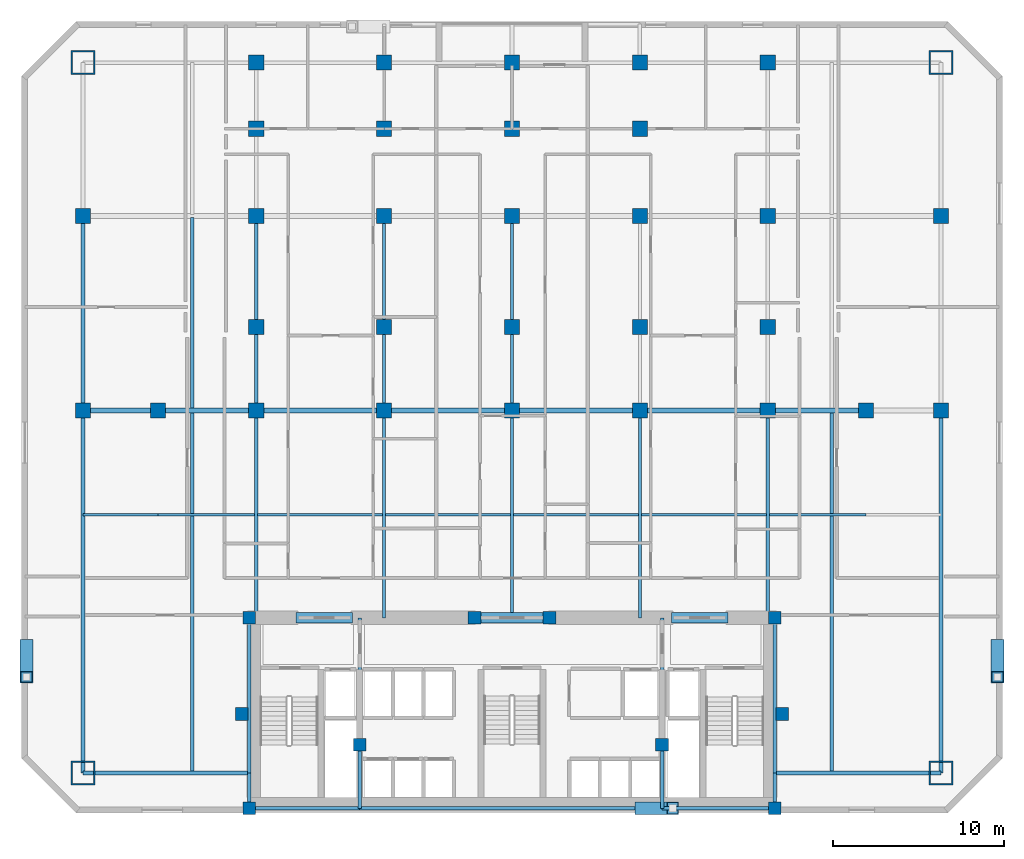
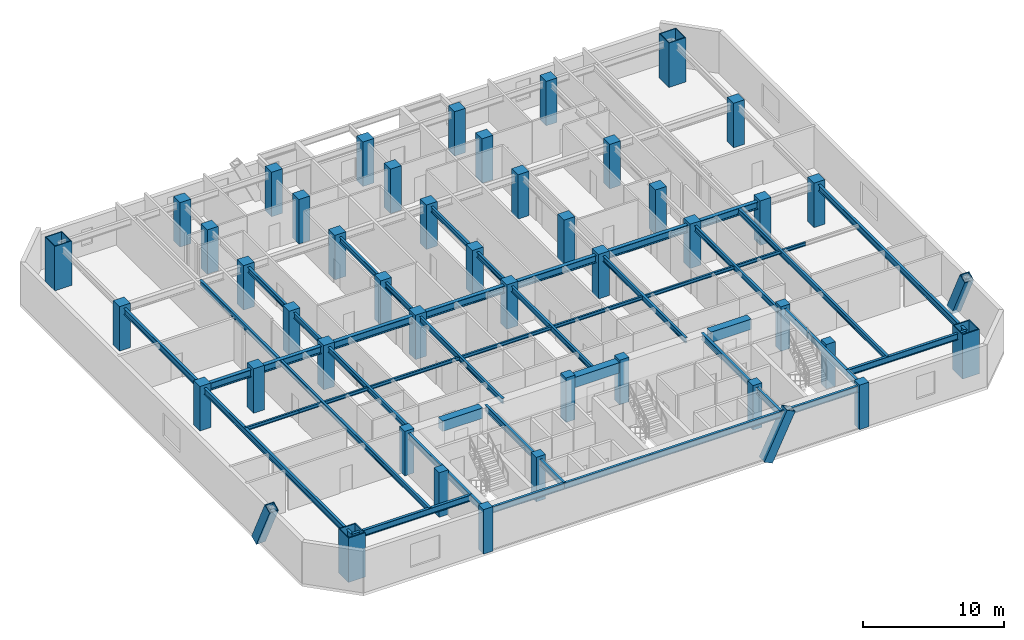
# One storey, part 1 of 9: 44 beams, 44 columns, 3 members.
"""IFC4 building model written with IfcOpenShell, lengths in metres."""

from ifc_helpers import new_model, si_unit, direction, frame, origin, origin_2d, place, context, subcontext, project, spatial, rectangle, hollow_rectangle, i_section, extrude, material, material_profile, profile_set, type_object, element, save


model = new_model("IFC4")

# Units and contexts
model_context = context("Model", 3, precision=1e-05, world=origin(), true_north=direction((0.0, 1.0)))
body_context = subcontext(model_context, "Body", "Model", "MODEL_VIEW")
ifc_project = project(units=[si_unit("LENGTHUNIT", "METRE"), si_unit("AREAUNIT", "SQUARE_METRE"), si_unit("VOLUMEUNIT", "CUBIC_METRE"), si_unit("PLANEANGLEUNIT", "RADIAN"), si_unit("MASSUNIT", "GRAM", prefix="KILO")], contexts=[model_context])

# Site, building, storey
site_placement = place(None, origin())
site = spatial("IfcSite", under=ifc_project, at=site_placement, CompositionType="ELEMENT")
building_placement = place(site_placement, origin())
building = spatial("IfcBuilding", under=site, at=building_placement, Name="Ventersveld Concourse Tower", CompositionType="ELEMENT")
storey_placement = place(building_placement, frame((0.0, 0.0, 45.199951171875)))
storey = spatial("IfcBuildingStorey", under=building, at=storey_placement, Name="L10", CompositionType="ELEMENT", Elevation=45.199951171875)

# Columns
ifc_material_1 = material(Name="Concrete C50/60", Category="concrete")
ifc_material_profile_1 = material_profile(ifc_material_1, rectangle(XDim=0.75, YDim=0.75, at=origin_2d()), Name="RC 750x750")
ifc_profile_set_1 = profile_set([ifc_material_profile_1], Name="Concrete C50/60")
column_type_1 = type_object("IfcColumnType", Name="COL-RC750", PredefinedType="COLUMN", material=ifc_profile_set_1)
for number, where, z_axis, x_axis, name in (
    (1, (13.35009765625, 0.280029296875, 0.0), (0.0, 0.0, 1.0), (1.0, 0.0, 0.0), "L10 Core Spine Column CC-SW"),
    (2, (44.14990234375, 0.280029296875, 0.0), (0.0, 0.0, 1.0), (1.0, 0.0, 0.0), "L10 Core Spine Column CC-SE"),
    (3, (13.35009765625, 11.449951171875, 0.0), (0.0, 0.0, 1.0), (1.0, 0.0, 0.0), "L10 Core Spine Column CC-NW"),
    (4, (44.14990234375, 11.449951171875, 0.0), (0.0, 0.0, 1.0), (1.0, 0.0, 0.0), "L10 Core Spine Column CC-NE"),
    (5, (19.820068359375, 4.0, 0.0), (0.0, 0.0, 1.0), (1.0, 0.0, 0.0), "L10 Core Spine Column CM-1"),
    (6, (37.550048828125, 4.0, 0.0), (0.0, 0.0, 1.0), (1.0, 0.0, 0.0), "L10 Core Spine Column CM-2"),
    (7, (26.550048828125, 11.449951171875, 0.0), (0.0, 0.0, 1.0), (1.0, 0.0, 0.0), "L10 Core Spine Column CM-3"),
    (8, (30.949951171875, 11.449951171875, 0.0), (0.0, 0.0, 1.0), (1.0, 0.0, 0.0), "L10 Core Spine Column CM-4"),
):
    element("IfcColumn", number, at=place(storey_placement, frame(where, z_axis=z_axis, x_axis=x_axis)), inside=storey, type_object=column_type_1, Name=name, PredefinedType="COLUMN", context=body_context, shape_type="SweptSolid", body=[
        extrude(rectangle(XDim=0.75, YDim=0.75, at=origin_2d()), origin(), (0.0, 0.0, 1.0), 3.85009765625),
    ])
ifc_material_2 = material(Name="Concrete C60/75", Category="concrete")
ifc_material_profile_2 = material_profile(ifc_material_2, rectangle(XDim=0.89990234375, YDim=0.89990234375, at=origin_2d()), Name="RC 900x900")
ifc_profile_set_2 = profile_set([ifc_material_profile_2], Name="Concrete C60/75")
column_type_2 = type_object("IfcColumnType", Name="COL-RC900", PredefinedType="COLUMN", material=ifc_profile_set_2)
for number, where, z_axis, x_axis, name in (
    (9, (3.60009765625, 23.60009765625, 0.0), (0.0, 0.0, 1.0), (1.0, 0.0, 0.0), "L10 Interior Gravity Column X=3.60 Y=23.60"),
    (10, (8.0, 23.60009765625, 0.0), (0.0, 0.0, 1.0), (1.0, 0.0, 0.0), "L10 Interior Gravity Column X=8.00 Y=23.60"),
    (11, (13.75, 23.60009765625, 0.0), (0.0, 0.0, 1.0), (1.0, 0.0, 0.0), "L10 Interior Gravity Column X=13.75 Y=23.60"),
    (12, (21.25, 23.60009765625, 0.0), (0.0, 0.0, 1.0), (1.0, 0.0, 0.0), "L10 Interior Gravity Column X=21.25 Y=23.60"),
    (13, (28.75, 23.60009765625, 0.0), (0.0, 0.0, 1.0), (1.0, 0.0, 0.0), "L10 Interior Gravity Column X=28.75 Y=23.60"),
    (14, (36.25, 23.60009765625, 0.0), (0.0, 0.0, 1.0), (1.0, 0.0, 0.0), "L10 Interior Gravity Column X=36.25 Y=23.60"),
    (15, (43.75, 23.60009765625, 0.0), (0.0, 0.0, 1.0), (1.0, 0.0, 0.0), "L10 Interior Gravity Column X=43.75 Y=23.60"),
    (16, (49.5, 23.60009765625, 0.0), (0.0, 0.0, 1.0), (1.0, 0.0, 0.0), "L10 Interior Gravity Column X=49.50 Y=23.60"),
    (17, (53.89990234375, 23.60009765625, 0.0), (0.0, 0.0, 1.0), (1.0, 0.0, 0.0), "L10 Interior Gravity Column X=53.90 Y=23.60"),
    (18, (13.75, 28.5, 0.0), (0.0, 0.0, 1.0), (1.0, 0.0, 0.0), "L10 Upper-North Gravity Column X=13.75 Y=28.50"),
    (19, (21.25, 28.5, 0.0), (0.0, 0.0, 1.0), (1.0, 0.0, 0.0), "L10 Upper-North Gravity Column X=21.25 Y=28.50"),
    (20, (28.75, 28.5, 0.0), (0.0, 0.0, 1.0), (1.0, 0.0, 0.0), "L10 Upper-North Gravity Column X=28.75 Y=28.50"),
    (21, (36.25, 28.5, 0.0), (0.0, 0.0, 1.0), (1.0, 0.0, 0.0), "L10 Upper-North Gravity Column X=36.25 Y=28.50"),
    (22, (43.75, 28.5, 0.0), (0.0, 0.0, 1.0), (1.0, 0.0, 0.0), "L10 Upper-North Gravity Column X=43.75 Y=28.50"),
    (23, (3.60009765625, 35.0, 0.0), (0.0, 0.0, 1.0), (1.0, 0.0, 0.0), "L10 Flank Column X=3.60 Y=35.00"),
    (24, (53.89990234375, 35.0, 0.0), (0.0, 0.0, 1.0), (1.0, 0.0, 0.0), "L10 Flank Column X=53.90 Y=35.00"),
    (25, (13.75, 44.0, 0.0), (0.0, 0.0, 1.0), (1.0, 0.0, 0.0), "L10 North Perimeter Column X=13.75 Y=44.00"),
    (26, (21.25, 44.0, 0.0), (0.0, 0.0, 1.0), (1.0, 0.0, 0.0), "L10 North Perimeter Column X=21.25 Y=44.00"),
    (27, (28.75, 44.0, 0.0), (0.0, 0.0, 1.0), (1.0, 0.0, 0.0), "L10 North Perimeter Column X=28.75 Y=44.00"),
    (28, (36.25, 44.0, 0.0), (0.0, 0.0, 1.0), (1.0, 0.0, 0.0), "L10 North Perimeter Column X=36.25 Y=44.00"),
    (29, (43.75, 44.0, 0.0), (0.0, 0.0, 1.0), (1.0, 0.0, 0.0), "L10 North Perimeter Column X=43.75 Y=44.00"),
    (30, (13.75, 40.1201171875, 0.0), (0.0, 0.0, 1.0), (1.0, 0.0, 0.0), "L10 North Brace Node Column X=13.75 Y=40.12"),
    (31, (21.25, 40.1201171875, 0.0), (0.0, 0.0, 1.0), (1.0, 0.0, 0.0), "L10 North Brace Node Column X=21.25 Y=40.12"),
    (32, (28.75, 40.1201171875, 0.0), (0.0, 0.0, 1.0), (1.0, 0.0, 0.0), "L10 North Brace Node Column X=28.75 Y=40.12"),
    (33, (36.25, 40.1201171875, 0.0), (0.0, 0.0, 1.0), (1.0, 0.0, 0.0), "L10 North Brace Node Column X=36.25 Y=40.12"),
    (34, (13.75, 35.0, 0.0), (0.0, 0.0, 1.0), (1.0, 0.0, 0.0), "L10 Mid-North Column X=13.75 Y=35.00"),
    (35, (21.25, 35.0, 0.0), (0.0, 0.0, 1.0), (1.0, 0.0, 0.0), "L10 Mid-North Column X=21.25 Y=35.00"),
    (36, (28.75, 35.0, 0.0), (0.0, 0.0, 1.0), (1.0, 0.0, 0.0), "L10 Mid-North Column X=28.75 Y=35.00"),
    (37, (36.25, 35.0, 0.0), (0.0, 0.0, 1.0), (1.0, 0.0, 0.0), "L10 Mid-North Column X=36.25 Y=35.00"),
    (38, (43.75, 35.0, 0.0), (0.0, 0.0, 1.0), (1.0, 0.0, 0.0), "L10 Mid-North Column X=43.75 Y=35.00"),
):
    element("IfcColumn", number, at=place(storey_placement, frame(where, z_axis=z_axis, x_axis=x_axis)), inside=storey, type_object=column_type_2, Name=name, PredefinedType="COLUMN", context=body_context, shape_type="SweptSolid", body=[
        extrude(rectangle(XDim=0.89990234375, YDim=0.89990234375, at=origin_2d()), origin(), (0.0, 0.0, 1.0), 3.85009765625),
    ])
ifc_material_3 = material(Name="Structural steel S460ML", Category="steel")
ifc_material_profile_3 = material_profile(ifc_material_3, hollow_rectangle(XDim=1.39990234375, YDim=1.39990234375, WallThickness=0.080078125, at=origin_2d()), Name="BOX 1400x1400x80")
ifc_profile_set_3 = profile_set([ifc_material_profile_3], Name="Structural steel S460ML")
column_type_3 = type_object("IfcColumnType", Name="MC-1400", PredefinedType="USERDEFINED", material=ifc_profile_set_3)
for number, where, z_axis, x_axis, name in (
    (39, (3.60009765625, 2.35009765625, 0.0), (0.0, 0.0, 1.0), (1.0, 0.0, 0.0), "L10 Corner Mega-Column MC-SW"),
    (40, (53.89990234375, 2.35009765625, 0.0), (0.0, 0.0, 1.0), (1.0, 0.0, 0.0), "L10 Corner Mega-Column MC-SE"),
    (41, (53.89990234375, 44.0, 0.0), (0.0, 0.0, 1.0), (1.0, 0.0, 0.0), "L10 Corner Mega-Column MC-NE"),
    (42, (3.60009765625, 44.0, 0.0), (0.0, 0.0, 1.0), (1.0, 0.0, 0.0), "L10 Corner Mega-Column MC-NW"),
):
    element("IfcColumn", number, at=place(storey_placement, frame(where, z_axis=z_axis, x_axis=x_axis)), inside=storey, type_object=column_type_3, Name=name, ObjectType="MEGA_COLUMN", PredefinedType="USERDEFINED", context=body_context, shape_type="SweptSolid", body=[
        extrude(hollow_rectangle(XDim=1.39990234375, YDim=1.39990234375, WallThickness=0.080078125, at=origin_2d()), origin(), (0.0, 0.0, 1.0), 3.85009765625),
    ])
ifc_material_profile_4 = material_profile(ifc_material_1, rectangle(XDim=0.75, YDim=0.75, at=origin_2d()), Name="RC 750x750")
ifc_profile_set_4 = profile_set([ifc_material_profile_4], Name="Concrete C50/60")
column_type_4 = type_object("IfcColumnType", Name="PIL-RC750", PredefinedType="PILASTER", material=ifc_profile_set_4)
for number, where, z_axis, x_axis, name in (
    (43, (12.89990234375, 5.800048828125, 0.0), (0.0, 0.0, 1.0), (1.0, 0.0, 0.0), "L10 Core Engaged Pilaster PIL-W"),
    (44, (44.60009765625, 5.800048828125, 0.0), (0.0, 0.0, 1.0), (1.0, 0.0, 0.0), "L10 Core Engaged Pilaster PIL-E"),
):
    element("IfcColumn", number, at=place(storey_placement, frame(where, z_axis=z_axis, x_axis=x_axis)), inside=storey, type_object=column_type_4, Name=name, PredefinedType="PILASTER", context=body_context, shape_type="SweptSolid", body=[
        extrude(rectangle(XDim=0.75, YDim=0.75, at=origin_2d()), origin(), (0.0, 0.0, 1.0), 3.85009765625),
    ])

# Beams
ifc_material_4 = material(Name="Structural steel S355J2", Category="steel")
ifc_material_profile_5 = material_profile(ifc_material_4, i_section(OverallWidth=0.19140625, OverallDepth=0.4599609375, WebThickness=0.010009765625, FlangeThickness=0.01611328125, FilletRadius=0.01025390625, at=origin_2d()), Name="UB 457x191x82")
ifc_profile_set_5 = profile_set([ifc_material_profile_5], Name="Structural steel S355J2")
beam_type_1 = type_object("IfcBeamType", Name="BM-UB457H", PredefinedType="BEAM", material=ifc_profile_set_5)
beam_1_placement = place(storey_placement, frame((10.0, 2.35009765625, 3.3701171875), z_axis=(0.0, 1.0, 0.0), x_axis=(-1.0, 0.0, 0.0)))
element("IfcBeam", 45, at=beam_1_placement, inside=storey, type_object=beam_type_1, Name="L10 N-S Composite Floor Beam South X=10.00", PredefinedType="BEAM", context=body_context, shape_type="SweptSolid", body=[
    extrude(i_section(OverallWidth=0.19140625, OverallDepth=0.4599609375, WebThickness=0.010009765625, FlangeThickness=0.01611328125, FilletRadius=0.01025390625, at=origin_2d()), origin(), (0.0, 0.0, 1.0), 21.15478515625),
])
beam_2_placement = place(storey_placement, frame((10.0, 23.695068359375, 3.3701171875), z_axis=(0.0, 1.0, 0.0), x_axis=(-1.0, 0.0, 0.0)))
element("IfcBeam", 46, at=beam_2_placement, inside=storey, type_object=beam_type_1, Name="L10 N-S Composite Floor Beam Mid X=10.00", PredefinedType="BEAM", context=body_context, shape_type="SweptSolid", body=[
    extrude(i_section(OverallWidth=0.19140625, OverallDepth=0.4599609375, WebThickness=0.010009765625, FlangeThickness=0.01611328125, FilletRadius=0.01025390625, at=origin_2d()), origin(), (0.0, 0.0, 1.0), 11.2099609375),
])
beam_3_placement = place(storey_placement, frame((13.75, 11.449951171875, 3.3701171875), z_axis=(0.0, 1.0, 0.0), x_axis=(-1.0, 0.0, 0.0)))
element("IfcBeam", 47, at=beam_3_placement, inside=storey, type_object=beam_type_1, Name="L10 N-S Composite Floor Beam South X=13.75", PredefinedType="BEAM", context=body_context, shape_type="SweptSolid", body=[
    extrude(i_section(OverallWidth=0.19140625, OverallDepth=0.4599609375, WebThickness=0.010009765625, FlangeThickness=0.01611328125, FilletRadius=0.01025390625, at=origin_2d()), origin(), (0.0, 0.0, 1.0), 12.150146484375),
])
beam_4_placement = place(storey_placement, frame((13.75, 23.60009765625, 3.3701171875), z_axis=(0.0, 1.0, 0.0), x_axis=(-1.0, 0.0, 0.0)))
element("IfcBeam", 48, at=beam_4_placement, inside=storey, type_object=beam_type_1, Name="L10 N-S Composite Floor Beam Mid X=13.75", PredefinedType="BEAM", context=body_context, shape_type="SweptSolid", body=[
    extrude(i_section(OverallWidth=0.19140625, OverallDepth=0.4599609375, WebThickness=0.010009765625, FlangeThickness=0.01611328125, FilletRadius=0.01025390625, at=origin_2d()), origin(), (0.0, 0.0, 1.0), 11.39990234375),
])
beam_5_placement = place(storey_placement, frame((21.25, 11.449951171875, 3.3701171875), z_axis=(0.0, 1.0, 0.0), x_axis=(-1.0, 0.0, 0.0)))
element("IfcBeam", 49, at=beam_5_placement, inside=storey, type_object=beam_type_1, Name="L10 N-S Composite Floor Beam South X=21.25", PredefinedType="BEAM", context=body_context, shape_type="SweptSolid", body=[
    extrude(i_section(OverallWidth=0.19140625, OverallDepth=0.4599609375, WebThickness=0.010009765625, FlangeThickness=0.01611328125, FilletRadius=0.01025390625, at=origin_2d()), origin(), (0.0, 0.0, 1.0), 12.150146484375),
])
beam_6_placement = place(storey_placement, frame((21.25, 23.60009765625, 3.3701171875), z_axis=(0.0, 1.0, 0.0), x_axis=(-1.0, 0.0, 0.0)))
element("IfcBeam", 50, at=beam_6_placement, inside=storey, type_object=beam_type_1, Name="L10 N-S Composite Floor Beam Mid X=21.25", PredefinedType="BEAM", context=body_context, shape_type="SweptSolid", body=[
    extrude(i_section(OverallWidth=0.19140625, OverallDepth=0.4599609375, WebThickness=0.010009765625, FlangeThickness=0.01611328125, FilletRadius=0.01025390625, at=origin_2d()), origin(), (0.0, 0.0, 1.0), 11.39990234375),
])
beam_7_placement = place(storey_placement, frame((28.75, 11.449951171875, 3.3701171875), z_axis=(0.0, 1.0, 0.0), x_axis=(-1.0, 0.0, 0.0)))
element("IfcBeam", 51, at=beam_7_placement, inside=storey, type_object=beam_type_1, Name="L10 N-S Composite Floor Beam South X=28.75", PredefinedType="BEAM", context=body_context, shape_type="SweptSolid", body=[
    extrude(i_section(OverallWidth=0.19140625, OverallDepth=0.4599609375, WebThickness=0.010009765625, FlangeThickness=0.01611328125, FilletRadius=0.01025390625, at=origin_2d()), origin(), (0.0, 0.0, 1.0), 12.150146484375),
])
beam_8_placement = place(storey_placement, frame((28.75, 23.60009765625, 3.3701171875), z_axis=(0.0, 1.0, 0.0), x_axis=(-1.0, 0.0, 0.0)))
element("IfcBeam", 52, at=beam_8_placement, inside=storey, type_object=beam_type_1, Name="L10 N-S Composite Floor Beam Mid X=28.75", PredefinedType="BEAM", context=body_context, shape_type="SweptSolid", body=[
    extrude(i_section(OverallWidth=0.19140625, OverallDepth=0.4599609375, WebThickness=0.010009765625, FlangeThickness=0.01611328125, FilletRadius=0.01025390625, at=origin_2d()), origin(), (0.0, 0.0, 1.0), 11.39990234375),
])
for number, where, z_axis, x_axis, name in (
    (53, (36.25, 11.449951171875, 3.3701171875), (0.0, 1.0, 0.0), (-1.0, 0.0, 0.0), "L10 N-S Composite Floor Beam South X=36.25"),
    (54, (43.75, 11.449951171875, 3.3701171875), (0.0, 1.0, 0.0), (-1.0, 0.0, 0.0), "L10 N-S Composite Floor Beam South X=43.75"),
):
    element("IfcBeam", number, at=place(storey_placement, frame(where, z_axis=z_axis, x_axis=x_axis)), inside=storey, type_object=beam_type_1, Name=name, PredefinedType="BEAM", context=body_context, shape_type="SweptSolid", body=[
        extrude(i_section(OverallWidth=0.19140625, OverallDepth=0.4599609375, WebThickness=0.010009765625, FlangeThickness=0.01611328125, FilletRadius=0.01025390625, at=origin_2d()), origin(), (0.0, 0.0, 1.0), 12.150146484375),
    ])
beam_9_placement = place(storey_placement, frame((47.5, 2.35009765625, 3.3701171875), z_axis=(0.0, 1.0, 0.0), x_axis=(-1.0, 0.0, 0.0)))
element("IfcBeam", 55, at=beam_9_placement, inside=storey, type_object=beam_type_1, Name="L10 N-S Composite Floor Beam South X=47.50", PredefinedType="BEAM", context=body_context, shape_type="SweptSolid", body=[
    extrude(i_section(OverallWidth=0.19140625, OverallDepth=0.4599609375, WebThickness=0.010009765625, FlangeThickness=0.01611328125, FilletRadius=0.01025390625, at=origin_2d()), origin(), (0.0, 0.0, 1.0), 21.15478515625),
])
ifc_material_profile_6 = material_profile(ifc_material_2, rectangle(XDim=0.60009765625, YDim=0.89990234375, at=origin_2d()), Name="RC 600x900")
ifc_profile_set_6 = profile_set([ifc_material_profile_6], Name="Concrete C60/75")
beam_type_2 = type_object("IfcBeamType", Name="CB-RC600x900L", PredefinedType="LINTEL", material=ifc_profile_set_6)
beam_10_placement = place(storey_placement, frame((16.10009765625, 11.449951171875, 3.150146484375), z_axis=(1.0, 0.0, 0.0), x_axis=(0.0, 1.0, 0.0)))
element("IfcBeam", 56, at=beam_10_placement, inside=storey, type_object=beam_type_2, Name="L10 Core Coupling Lintel Beam 1", PredefinedType="LINTEL", context=body_context, shape_type="SweptSolid", body=[
    extrude(rectangle(XDim=0.60009765625, YDim=0.89990234375, at=origin_2d()), origin(), (0.0, 0.0, 1.0), 3.2998046875),
])
beam_11_placement = place(storey_placement, frame((26.5, 11.449951171875, 3.150146484375), z_axis=(1.0, 0.0, 0.0), x_axis=(0.0, 1.0, 0.0)))
element("IfcBeam", 57, at=beam_11_placement, inside=storey, type_object=beam_type_2, Name="L10 Core Coupling Lintel Beam 2", PredefinedType="LINTEL", context=body_context, shape_type="SweptSolid", body=[
    extrude(rectangle(XDim=0.60009765625, YDim=0.89990234375, at=origin_2d()), origin(), (0.0, 0.0, 1.0), 4.5),
])
beam_12_placement = place(storey_placement, frame((38.10009765625, 11.449951171875, 3.150146484375), z_axis=(1.0, 0.0, 0.0), x_axis=(0.0, 1.0, 0.0)))
element("IfcBeam", 58, at=beam_12_placement, inside=storey, type_object=beam_type_2, Name="L10 Core Coupling Lintel Beam 3", PredefinedType="LINTEL", context=body_context, shape_type="SweptSolid", body=[
    extrude(rectangle(XDim=0.60009765625, YDim=0.89990234375, at=origin_2d()), origin(), (0.0, 0.0, 1.0), 3.2998046875),
])
ifc_material_profile_7 = material_profile(ifc_material_4, i_section(OverallWidth=0.2119140625, OverallDepth=0.54443359375, WebThickness=0.0126953125, FlangeThickness=0.021240234375, FilletRadius=0.0126953125, at=origin_2d()), Name="UB 533x210x122")
ifc_profile_set_7 = profile_set([ifc_material_profile_7], Name="Structural steel S355J2")
beam_type_3 = type_object("IfcBeamType", Name="GRD-UB533H", PredefinedType="T_BEAM", material=ifc_profile_set_7)
beam_13_placement = place(storey_placement, frame((13.35009765625, 0.280029296875, 3.32763671875), z_axis=(0.0, 1.0, 0.0), x_axis=(-1.0, 0.0, 0.0)))
element("IfcBeam", 59, at=beam_13_placement, inside=storey, type_object=beam_type_3, Name="L10 Core West Tie Beam S", PredefinedType="T_BEAM", context=body_context, shape_type="SweptSolid", body=[
    extrude(i_section(OverallWidth=0.2119140625, OverallDepth=0.54443359375, WebThickness=0.0126953125, FlangeThickness=0.021240234375, FilletRadius=0.0126953125, at=origin_2d()), origin(), (0.0, 0.0, 1.0), 2.070068359375),
])
beam_14_placement = place(storey_placement, frame((13.35009765625, 2.35009765625, 3.32763671875), z_axis=(0.0, 1.0, 0.0), x_axis=(-1.0, 0.0, 0.0)))
element("IfcBeam", 60, at=beam_14_placement, inside=storey, type_object=beam_type_3, Name="L10 Core West Tie Beam N", PredefinedType="T_BEAM", context=body_context, shape_type="SweptSolid", body=[
    extrude(i_section(OverallWidth=0.2119140625, OverallDepth=0.54443359375, WebThickness=0.0126953125, FlangeThickness=0.021240234375, FilletRadius=0.0126953125, at=origin_2d()), origin(), (0.0, 0.0, 1.0), 9.099853515625),
])
beam_15_placement = place(storey_placement, frame((44.14990234375, 0.280029296875, 3.32763671875), z_axis=(0.0, 1.0, 0.0), x_axis=(-1.0, 0.0, 0.0)))
element("IfcBeam", 61, at=beam_15_placement, inside=storey, type_object=beam_type_3, Name="L10 Core East Tie Beam S", PredefinedType="T_BEAM", context=body_context, shape_type="SweptSolid", body=[
    extrude(i_section(OverallWidth=0.2119140625, OverallDepth=0.54443359375, WebThickness=0.0126953125, FlangeThickness=0.021240234375, FilletRadius=0.0126953125, at=origin_2d()), origin(), (0.0, 0.0, 1.0), 2.070068359375),
])
beam_16_placement = place(storey_placement, frame((44.14990234375, 2.35009765625, 3.32763671875), z_axis=(0.0, 1.0, 0.0), x_axis=(-1.0, 0.0, 0.0)))
element("IfcBeam", 62, at=beam_16_placement, inside=storey, type_object=beam_type_3, Name="L10 Core East Tie Beam N", PredefinedType="T_BEAM", context=body_context, shape_type="SweptSolid", body=[
    extrude(i_section(OverallWidth=0.2119140625, OverallDepth=0.54443359375, WebThickness=0.0126953125, FlangeThickness=0.021240234375, FilletRadius=0.0126953125, at=origin_2d()), origin(), (0.0, 0.0, 1.0), 9.099853515625),
])
beam_17_placement = place(storey_placement, frame((13.35009765625, 0.280029296875, 3.32763671875), z_axis=(1.0, 0.0, 0.0), x_axis=(0.0, 1.0, 0.0)))
element("IfcBeam", 63, at=beam_17_placement, inside=storey, type_object=beam_type_3, Name="L10 Core South Tie Beam W", PredefinedType="T_BEAM", context=body_context, shape_type="SweptSolid", body=[
    extrude(i_section(OverallWidth=0.2119140625, OverallDepth=0.54443359375, WebThickness=0.0126953125, FlangeThickness=0.021240234375, FilletRadius=0.0126953125, at=origin_2d()), origin(), (0.0, 0.0, 1.0), 6.469970703125),
])
beam_18_placement = place(storey_placement, frame((19.820068359375, 0.280029296875, 3.32763671875), z_axis=(1.0, 0.0, 0.0), x_axis=(0.0, 1.0, 0.0)))
element("IfcBeam", 64, at=beam_18_placement, inside=storey, type_object=beam_type_3, Name="L10 Core South Tie Beam C", PredefinedType="T_BEAM", context=body_context, shape_type="SweptSolid", body=[
    extrude(i_section(OverallWidth=0.2119140625, OverallDepth=0.54443359375, WebThickness=0.0126953125, FlangeThickness=0.021240234375, FilletRadius=0.0126953125, at=origin_2d()), origin(), (0.0, 0.0, 1.0), 17.72998046875),
])
beam_19_placement = place(storey_placement, frame((37.550048828125, 0.280029296875, 3.32763671875), z_axis=(1.0, 0.0, 0.0), x_axis=(0.0, 1.0, 0.0)))
element("IfcBeam", 65, at=beam_19_placement, inside=storey, type_object=beam_type_3, Name="L10 Core South Tie Beam E", PredefinedType="T_BEAM", context=body_context, shape_type="SweptSolid", body=[
    extrude(i_section(OverallWidth=0.2119140625, OverallDepth=0.54443359375, WebThickness=0.0126953125, FlangeThickness=0.021240234375, FilletRadius=0.0126953125, at=origin_2d()), origin(), (0.0, 0.0, 1.0), 6.599853515625),
])
beam_20_placement = place(storey_placement, frame((19.820068359375, 0.280029296875, 3.32763671875), z_axis=(0.0, 1.0, 0.0), x_axis=(-1.0, 0.0, 0.0)))
element("IfcBeam", 66, at=beam_20_placement, inside=storey, type_object=beam_type_3, Name="L10 Core Spine N-S Tie Beam W1", PredefinedType="T_BEAM", context=body_context, shape_type="SweptSolid", body=[
    extrude(i_section(OverallWidth=0.2119140625, OverallDepth=0.54443359375, WebThickness=0.0126953125, FlangeThickness=0.021240234375, FilletRadius=0.0126953125, at=origin_2d()), origin(), (0.0, 0.0, 1.0), 3.719970703125),
])
beam_21_placement = place(storey_placement, frame((19.820068359375, 4.0, 3.32763671875), z_axis=(0.0, 1.0, 0.0), x_axis=(-1.0, 0.0, 0.0)))
element("IfcBeam", 67, at=beam_21_placement, inside=storey, type_object=beam_type_3, Name="L10 Core Spine N-S Tie Beam W2", PredefinedType="T_BEAM", context=body_context, shape_type="SweptSolid", body=[
    extrude(i_section(OverallWidth=0.2119140625, OverallDepth=0.54443359375, WebThickness=0.0126953125, FlangeThickness=0.021240234375, FilletRadius=0.0126953125, at=origin_2d()), origin(), (0.0, 0.0, 1.0), 7.449951171875),
])
beam_22_placement = place(storey_placement, frame((37.550048828125, 0.280029296875, 3.32763671875), z_axis=(0.0, 1.0, 0.0), x_axis=(-1.0, 0.0, 0.0)))
element("IfcBeam", 68, at=beam_22_placement, inside=storey, type_object=beam_type_3, Name="L10 Core Spine N-S Tie Beam E1", PredefinedType="T_BEAM", context=body_context, shape_type="SweptSolid", body=[
    extrude(i_section(OverallWidth=0.2119140625, OverallDepth=0.54443359375, WebThickness=0.0126953125, FlangeThickness=0.021240234375, FilletRadius=0.0126953125, at=origin_2d()), origin(), (0.0, 0.0, 1.0), 3.719970703125),
])
beam_23_placement = place(storey_placement, frame((37.550048828125, 4.0, 3.32763671875), z_axis=(0.0, 1.0, 0.0), x_axis=(-1.0, 0.0, 0.0)))
element("IfcBeam", 69, at=beam_23_placement, inside=storey, type_object=beam_type_3, Name="L10 Core Spine N-S Tie Beam E2", PredefinedType="T_BEAM", context=body_context, shape_type="SweptSolid", body=[
    extrude(i_section(OverallWidth=0.2119140625, OverallDepth=0.54443359375, WebThickness=0.0126953125, FlangeThickness=0.021240234375, FilletRadius=0.0126953125, at=origin_2d()), origin(), (0.0, 0.0, 1.0), 7.449951171875),
])
ifc_material_profile_8 = material_profile(ifc_material_4, i_section(OverallWidth=0.311279296875, OverallDepth=0.6357421875, WebThickness=0.018310546875, FlangeThickness=0.031494140625, FilletRadius=0.0166015625, at=origin_2d()), Name="UB 610x305x238")
ifc_profile_set_8 = profile_set([ifc_material_profile_8], Name="Structural steel S355J2")
beam_type_4 = type_object("IfcBeamType", Name="GRD-UB610H", PredefinedType="USERDEFINED", material=ifc_profile_set_8)
beam_24_placement = place(storey_placement, frame((3.60009765625, 23.60009765625, 3.2822265625), z_axis=(1.0, 0.0, 0.0), x_axis=(0.0, 1.0, 0.0)))
element("IfcBeam", 70, at=beam_24_placement, inside=storey, type_object=beam_type_4, Name="L10 Primary E-W Grid Girder Y=23.60 #1", ObjectType="GIRDER", PredefinedType="USERDEFINED", context=body_context, shape_type="SweptSolid", body=[
    extrude(i_section(OverallWidth=0.311279296875, OverallDepth=0.6357421875, WebThickness=0.018310546875, FlangeThickness=0.031494140625, FilletRadius=0.0166015625, at=origin_2d()), origin(), (0.0, 0.0, 1.0), 4.39990234375),
])
beam_25_placement = place(storey_placement, frame((8.0, 23.60009765625, 3.2822265625), z_axis=(1.0, 0.0, 0.0), x_axis=(0.0, 1.0, 0.0)))
element("IfcBeam", 71, at=beam_25_placement, inside=storey, type_object=beam_type_4, Name="L10 Primary E-W Grid Girder Y=23.60 #2", ObjectType="GIRDER", PredefinedType="USERDEFINED", context=body_context, shape_type="SweptSolid", body=[
    extrude(i_section(OverallWidth=0.311279296875, OverallDepth=0.6357421875, WebThickness=0.018310546875, FlangeThickness=0.031494140625, FilletRadius=0.0166015625, at=origin_2d()), origin(), (0.0, 0.0, 1.0), 5.75),
])
for number, where, z_axis, x_axis, name in (
    (72, (13.75, 23.60009765625, 3.2822265625), (1.0, 0.0, 0.0), (0.0, 1.0, 0.0), "L10 Primary E-W Grid Girder Y=23.60 #3"),
    (73, (21.25, 23.60009765625, 3.2822265625), (1.0, 0.0, 0.0), (0.0, 1.0, 0.0), "L10 Primary E-W Grid Girder Y=23.60 #4"),
    (74, (28.75, 23.60009765625, 3.2822265625), (1.0, 0.0, 0.0), (0.0, 1.0, 0.0), "L10 Primary E-W Grid Girder Y=23.60 #5"),
    (75, (36.25, 23.60009765625, 3.2822265625), (1.0, 0.0, 0.0), (0.0, 1.0, 0.0), "L10 Primary E-W Grid Girder Y=23.60 #6"),
):
    element("IfcBeam", number, at=place(storey_placement, frame(where, z_axis=z_axis, x_axis=x_axis)), inside=storey, type_object=beam_type_4, Name=name, ObjectType="GIRDER", PredefinedType="USERDEFINED", context=body_context, shape_type="SweptSolid", body=[
        extrude(i_section(OverallWidth=0.311279296875, OverallDepth=0.6357421875, WebThickness=0.018310546875, FlangeThickness=0.031494140625, FilletRadius=0.0166015625, at=origin_2d()), origin(), (0.0, 0.0, 1.0), 7.5),
    ])
beam_26_placement = place(storey_placement, frame((43.75, 23.60009765625, 3.2822265625), z_axis=(1.0, 0.0, 0.0), x_axis=(0.0, 1.0, 0.0)))
element("IfcBeam", 76, at=beam_26_placement, inside=storey, type_object=beam_type_4, Name="L10 Primary E-W Grid Girder Y=23.60 #7", ObjectType="GIRDER", PredefinedType="USERDEFINED", context=body_context, shape_type="SweptSolid", body=[
    extrude(i_section(OverallWidth=0.311279296875, OverallDepth=0.6357421875, WebThickness=0.018310546875, FlangeThickness=0.031494140625, FilletRadius=0.0166015625, at=origin_2d()), origin(), (0.0, 0.0, 1.0), 5.75),
])
ifc_material_profile_9 = material_profile(ifc_material_4, i_section(OverallWidth=0.14990234375, OverallDepth=0.300048828125, WebThickness=0.007080078125, FlangeThickness=0.0107421875, FilletRadius=0.014892578125, at=origin_2d()), Name="IPE 300")
ifc_profile_set_9 = profile_set([ifc_material_profile_9], Name="Structural steel S355J2")
beam_type_5 = type_object("IfcBeamType", Name="JST-IPE300", PredefinedType="JOIST", material=ifc_profile_set_9)
beam_27_placement = place(storey_placement, frame((3.60009765625, 17.5, 3.449951171875), z_axis=(1.0, 0.0, 0.0), x_axis=(0.0, 1.0, 0.0)))
element("IfcBeam", 77, at=beam_27_placement, inside=storey, type_object=beam_type_5, Name="L10 Secondary E-W Floor Joist Y=17.50 #1", PredefinedType="JOIST", context=body_context, shape_type="SweptSolid", body=[
    extrude(i_section(OverallWidth=0.14990234375, OverallDepth=0.300048828125, WebThickness=0.007080078125, FlangeThickness=0.0107421875, FilletRadius=0.014892578125, at=origin_2d()), origin(), (0.0, 0.0, 1.0), 4.39990234375),
])
beam_28_placement = place(storey_placement, frame((8.0, 17.5, 3.449951171875), z_axis=(1.0, 0.0, 0.0), x_axis=(0.0, 1.0, 0.0)))
element("IfcBeam", 78, at=beam_28_placement, inside=storey, type_object=beam_type_5, Name="L10 Secondary E-W Floor Joist Y=17.50 #2", PredefinedType="JOIST", context=body_context, shape_type="SweptSolid", body=[
    extrude(i_section(OverallWidth=0.14990234375, OverallDepth=0.300048828125, WebThickness=0.007080078125, FlangeThickness=0.0107421875, FilletRadius=0.014892578125, at=origin_2d()), origin(), (0.0, 0.0, 1.0), 5.657958984375),
])
for number, where, z_axis, x_axis, name in (
    (79, (13.842041015625, 17.5, 3.449951171875), (1.0, 0.0, 0.0), (0.0, 1.0, 0.0), "L10 Secondary E-W Floor Joist Y=17.50 #3"),
    (80, (21.342041015625, 17.5, 3.449951171875), (1.0, 0.0, 0.0), (0.0, 1.0, 0.0), "L10 Secondary E-W Floor Joist Y=17.50 #4"),
    (81, (28.842041015625, 17.5, 3.449951171875), (1.0, 0.0, 0.0), (0.0, 1.0, 0.0), "L10 Secondary E-W Floor Joist Y=17.50 #5"),
    (82, (36.342041015625, 17.5, 3.449951171875), (1.0, 0.0, 0.0), (0.0, 1.0, 0.0), "L10 Secondary E-W Floor Joist Y=17.50 #6"),
):
    element("IfcBeam", number, at=place(storey_placement, frame(where, z_axis=z_axis, x_axis=x_axis)), inside=storey, type_object=beam_type_5, Name=name, PredefinedType="JOIST", context=body_context, shape_type="SweptSolid", body=[
        extrude(i_section(OverallWidth=0.14990234375, OverallDepth=0.300048828125, WebThickness=0.007080078125, FlangeThickness=0.0107421875, FilletRadius=0.014892578125, at=origin_2d()), origin(), (0.0, 0.0, 1.0), 7.31591796875),
    ])
beam_29_placement = place(storey_placement, frame((43.842041015625, 17.5, 3.449951171875), z_axis=(1.0, 0.0, 0.0), x_axis=(0.0, 1.0, 0.0)))
element("IfcBeam", 83, at=beam_29_placement, inside=storey, type_object=beam_type_5, Name="L10 Secondary E-W Floor Joist Y=17.50 #7", PredefinedType="JOIST", context=body_context, shape_type="SweptSolid", body=[
    extrude(i_section(OverallWidth=0.14990234375, OverallDepth=0.300048828125, WebThickness=0.007080078125, FlangeThickness=0.0107421875, FilletRadius=0.014892578125, at=origin_2d()), origin(), (0.0, 0.0, 1.0), 5.657958984375),
])

# Members
ifc_material_5 = material(Name="Structural steel S355ML", Category="steel")
ifc_material_profile_10 = material_profile(ifc_material_5, hollow_rectangle(XDim=0.75, YDim=0.75, WallThickness=0.044921875, at=origin_2d()), Name="BOX 750x750x45")
ifc_profile_set_10 = profile_set([ifc_material_profile_10], Name="Structural steel S355ML")
member_type = type_object("IfcMemberType", Name="MB-750x750", PredefinedType="BRACE", material=ifc_profile_set_10)
for number, where, z_axis, x_axis, name in (
    (84, (36.300048828125, 0.280029296875, -0.25), (0.437839464193, 0.0, 0.899053170616), (0.0, 1.0, 0.0), "L10 Exterior Mega-Brace S (Module M02)"),
    (85, (0.280029296875, 9.85009765625, -0.25), (0.0, -0.437839464193, 0.899053170616), (1.0, 0.0, 0.0), "L10 Exterior Mega-Brace W (Module M02)"),
    (86, (57.219970703125, 9.85009765625, -0.25), (0.0, -0.437839464193, 0.899053170616), (1.0, 0.0, 0.0), "L10 Exterior Mega-Brace E (Module M02)"),
):
    element("IfcMember", number, at=place(storey_placement, frame(where, z_axis=z_axis, x_axis=x_axis)), inside=storey, type_object=member_type, Name=name, PredefinedType="BRACE", context=body_context, shape_type="SweptSolid", body=[
        extrude(hollow_rectangle(XDim=0.75, YDim=0.75, WallThickness=0.044921875, at=origin_2d()), origin(), (0.0, 0.0, 1.0), 4.282470703125),
    ])

# Beams
ifc_material_profile_11 = material_profile(ifc_material_4, i_section(OverallWidth=0.2119140625, OverallDepth=0.54443359375, WebThickness=0.0126953125, FlangeThickness=0.021240234375, FilletRadius=0.0126953125, at=origin_2d()), Name="UB 533x210x122")
ifc_profile_set_11 = profile_set([ifc_material_profile_11], Name="Structural steel S355J2")
beam_type_6 = type_object("IfcBeamType", Name="SPD-UB533", PredefinedType="SPANDREL", material=ifc_profile_set_11)
for number, where, z_axis, x_axis, name in (
    (87, (3.60009765625, 2.35009765625, 3.32763671875), (1.0, 0.0, 0.0), (0.0, 1.0, 0.0), "L10 SW Spandrel Beam"),
    (88, (44.14990234375, 2.35009765625, 3.32763671875), (1.0, 0.0, 0.0), (0.0, 1.0, 0.0), "L10 SE Spandrel Beam"),
):
    element("IfcBeam", number, at=place(storey_placement, frame(where, z_axis=z_axis, x_axis=x_axis)), inside=storey, type_object=beam_type_6, Name=name, PredefinedType="SPANDREL", context=body_context, shape_type="SweptSolid", body=[
        extrude(i_section(OverallWidth=0.2119140625, OverallDepth=0.54443359375, WebThickness=0.0126953125, FlangeThickness=0.021240234375, FilletRadius=0.0126953125, at=origin_2d()), origin(), (0.0, 0.0, 1.0), 9.75),
    ])
beam_30_placement = place(storey_placement, frame((3.60009765625, 2.35009765625, 3.32763671875), z_axis=(0.0, 1.0, 0.0), x_axis=(-1.0, 0.0, 0.0)))
element("IfcBeam", 89, at=beam_30_placement, inside=storey, type_object=beam_type_6, Name="L10 West Spandrel Beam S", PredefinedType="SPANDREL", context=body_context, shape_type="SweptSolid", body=[
    extrude(i_section(OverallWidth=0.2119140625, OverallDepth=0.54443359375, WebThickness=0.0126953125, FlangeThickness=0.021240234375, FilletRadius=0.0126953125, at=origin_2d()), origin(), (0.0, 0.0, 1.0), 21.25),
])
beam_31_placement = place(storey_placement, frame((3.60009765625, 23.60009765625, 3.32763671875), z_axis=(0.0, 1.0, 0.0), x_axis=(-1.0, 0.0, 0.0)))
element("IfcBeam", 90, at=beam_31_placement, inside=storey, type_object=beam_type_6, Name="L10 West Spandrel Beam M", PredefinedType="SPANDREL", context=body_context, shape_type="SweptSolid", body=[
    extrude(i_section(OverallWidth=0.2119140625, OverallDepth=0.54443359375, WebThickness=0.0126953125, FlangeThickness=0.021240234375, FilletRadius=0.0126953125, at=origin_2d()), origin(), (0.0, 0.0, 1.0), 11.39990234375),
])
beam_32_placement = place(storey_placement, frame((53.89990234375, 2.35009765625, 3.32763671875), z_axis=(0.0, 1.0, 0.0), x_axis=(-1.0, 0.0, 0.0)))
element("IfcBeam", 91, at=beam_32_placement, inside=storey, type_object=beam_type_6, Name="L10 East Spandrel Beam S", PredefinedType="SPANDREL", context=body_context, shape_type="SweptSolid", body=[
    extrude(i_section(OverallWidth=0.2119140625, OverallDepth=0.54443359375, WebThickness=0.0126953125, FlangeThickness=0.021240234375, FilletRadius=0.0126953125, at=origin_2d()), origin(), (0.0, 0.0, 1.0), 21.25),
])

save(model, "model.ifc")
